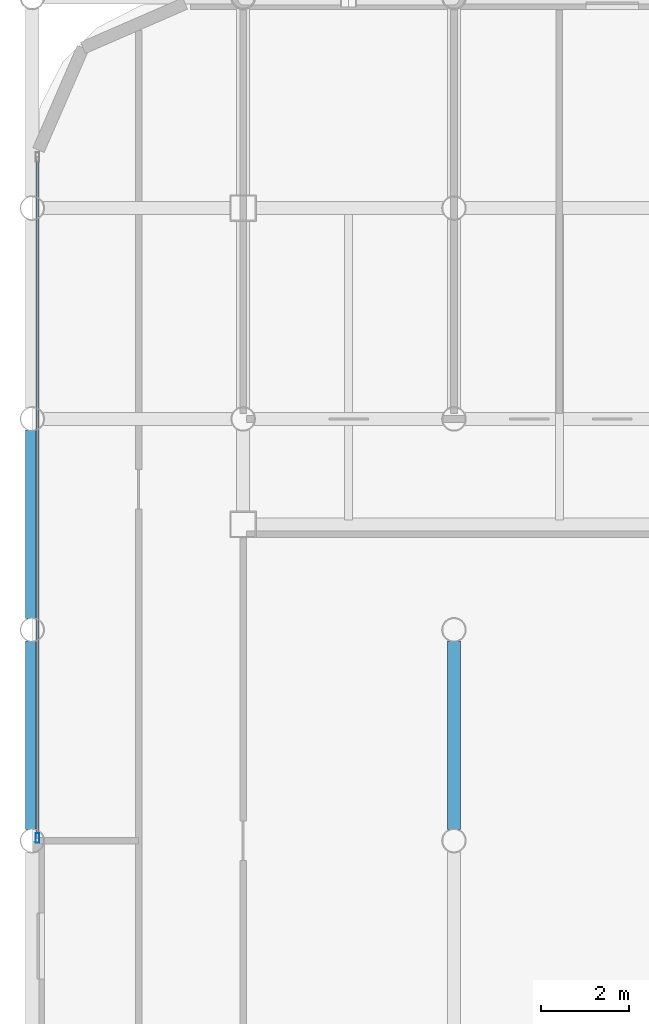
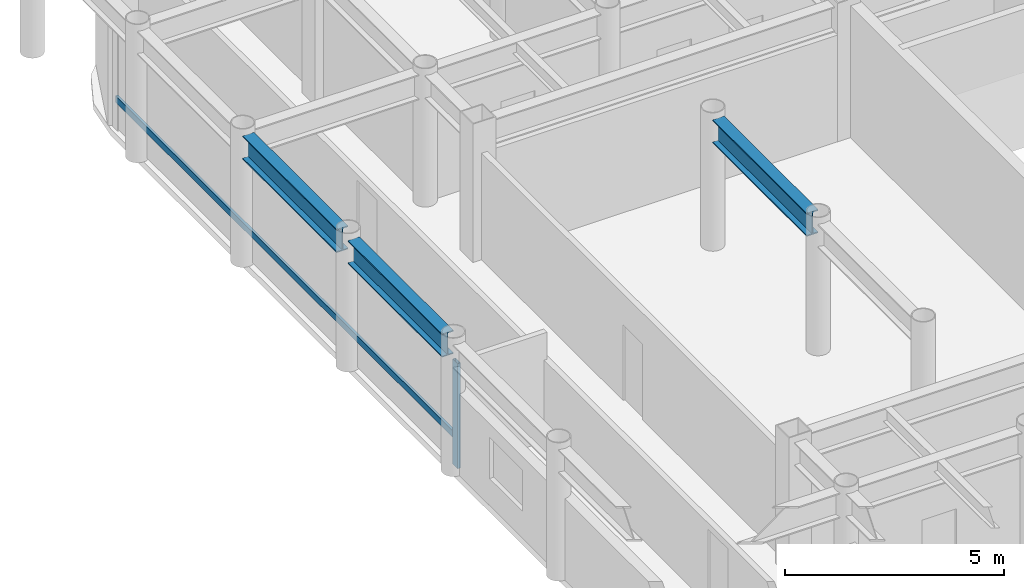
# One storey, part 6 of 21: 3 beams, 2 members, 1 element without a shape of its own.
"""IFC4 building model written with IfcOpenShell, lengths in metres."""

from ifc_helpers import new_model, si_unit, direction, frame, origin, origin_2d, place, context, subcontext, project, spatial, hollow_rectangle, i_section, extrude, material, layer, layer_set, material_profile, profile_set, type_object, element, aggregate, save


model = new_model("IFC4")

# Units and contexts
model_context = context("Model", 3, precision=1e-05, world=origin(), true_north=direction((0.0, 1.0)))
body_context = subcontext(model_context, "Body", "Model", "MODEL_VIEW")
ifc_project = project(units=[si_unit("LENGTHUNIT", "METRE"), si_unit("AREAUNIT", "SQUARE_METRE"), si_unit("VOLUMEUNIT", "CUBIC_METRE"), si_unit("PLANEANGLEUNIT", "RADIAN"), si_unit("MASSUNIT", "GRAM", prefix="KILO")], contexts=[model_context])

# Site, building, storey
site_placement = place(None, origin())
site = spatial("IfcSite", under=ifc_project, at=site_placement, CompositionType="ELEMENT")
building_placement = place(site_placement, origin())
building = spatial("IfcBuilding", under=site, at=building_placement, Name="Kallvorn Hotel Tower", CompositionType="ELEMENT")
storey_placement = place(building_placement, frame((0.0, 0.0, 210.75)))
storey = spatial("IfcBuildingStorey", under=building, at=storey_placement, Name="L52", CompositionType="ELEMENT", Elevation=210.75)

# Beams
ifc_material_1 = material(Name="Structural steel S355JR", Category="steel")
ifc_material_profile_1 = material_profile(ifc_material_1, i_section(OverallWidth=0.300048828125, OverallDepth=0.64990234375, WebThickness=0.01611328125, FlangeThickness=0.031005859375, at=origin_2d()), Name="HE 650 B")
ifc_profile_set_1 = profile_set([ifc_material_profile_1], Name="Structural steel S355JR")
beam_type = type_object("IfcBeamType", Name="BM_HE650B", PredefinedType="BEAM", material=ifc_profile_set_1)
for number, where, z_axis, x_axis, name in (
    (1, (-28.800048828125, 0.25439453125, 3.344970703125), (0.0, 1.0, 0.0), (-1.0, 0.0, 0.0), "L53 Primary Y-Girder 77"),
    (2, (-28.800048828125, 5.054443359375, 3.344970703125), (0.0, 1.0, 0.0), (-1.0, 0.0, 0.0), "L53 Primary Y-Girder 78"),
    (3, (-19.199951171875, 0.25439453125, 3.344970703125), (0.0, 1.0, 0.0), (-1.0, 0.0, 0.0), "L53 Primary Y-Girder 93"),
):
    element("IfcBeam", number, at=place(storey_placement, frame(where, z_axis=z_axis, x_axis=x_axis)), inside=storey, type_object=beam_type, Name=name, PredefinedType="BEAM", context=body_context, shape_type="SweptSolid", body=[
        extrude(i_section(OverallWidth=0.300048828125, OverallDepth=0.64990234375, WebThickness=0.01611328125, FlangeThickness=0.031005859375, at=origin_2d()), origin(), (0.0, 0.0, 1.0), 4.291015625),
    ])

# Curtain wall, members
ifc_material_2 = material(Name="Thermally broken black-anodised aluminium AA 6063-T6", Category="aluminium")
ifc_layer = layer(ifc_material_2, 0.22998046875)
ifc_layer_set = layer_set([ifc_layer], Name="CW_SYS_5_HOTEL_HIGH")
curtain_wall_type = type_object("IfcCurtainWallType", Name="CW_SYS_5_HOTEL_HIGH", PredefinedType="USERDEFINED", material=ifc_layer_set)
curtain_wall_placement = place(storey_placement, origin())
curtain_wall = element("IfcCurtainWall", 4, at=curtain_wall_placement, inside=storey, type_object=curtain_wall_type, Name="L52 Dark-Glass Curtain Wall CW-L52-WN", ObjectType="UNITISED CURTAIN WALL", PredefinedType="USERDEFINED")
ifc_material_3 = material(Name="Thermally broken black-anodised aluminium AA 6063-T6", Category="aluminium")
ifc_material_profile_2 = material_profile(ifc_material_3, hollow_rectangle(XDim=0.080078125, YDim=0.219970703125, WallThickness=0.0048828125, at=origin_2d()), Name="MUL 220x80")
ifc_profile_set_2 = profile_set([ifc_material_profile_2], Name="Thermally broken black-anodised aluminium AA 6063-T6")
member_type_1 = type_object("IfcMemberType", Name="CW_MULLION_220x80", PredefinedType="MULLION", material=ifc_profile_set_2)
member_1_placement = place(storey_placement, frame((-28.679931640625, 0.06005859375, 0.02001953125), z_axis=(0.0, 0.0, 1.0), x_axis=(1.0, 0.0, 0.0)))
member_1 = element("IfcMember", 5, at=member_1_placement, type_object=member_type_1, Name="CW-L52-WN Mullion 00", PredefinedType="MULLION", context=body_context, shape_type="SweptSolid", body=[
    extrude(hollow_rectangle(XDim=0.080078125, YDim=0.219970703125, WallThickness=0.0048828125, at=origin_2d()), origin(), (0.0, 0.0, 1.0), 2.929931640625),
])
ifc_material_4 = material(Name="Thermally broken black-anodised aluminium AA 6063-T6", Category="aluminium")
ifc_material_profile_3 = material_profile(ifc_material_4, hollow_rectangle(XDim=0.070068359375, YDim=0.179931640625, WallThickness=0.00390625, at=origin_2d()), Name="TRN 180x70")
ifc_profile_set_3 = profile_set([ifc_material_profile_3], Name="Thermally broken black-anodised aluminium AA 6063-T6")
member_type_2 = type_object("IfcMemberType", Name="CW_TRANSOM_180x70", PredefinedType="USERDEFINED", material=ifc_profile_set_3)
member_2_placement = place(storey_placement, frame((-28.679931640625, 0.06005859375, 0.85009765625), z_axis=(0.0, 1.0, 0.0), x_axis=(-1.0, 0.0, 0.0)))
member_2 = element("IfcMember", 6, at=member_2_placement, type_object=member_type_2, Name="CW-L52-WN Transom 00M", ObjectType="TRANSOM", PredefinedType="USERDEFINED", context=body_context, shape_type="SweptSolid", body=[
    extrude(hollow_rectangle(XDim=0.070068359375, YDim=0.179931640625, WallThickness=0.00390625, at=origin_2d()), origin(), (0.0, 0.0, 1.0), 15.5),
])
aggregate(curtain_wall, [member_1, member_2])

save(model, "model.ifc")
